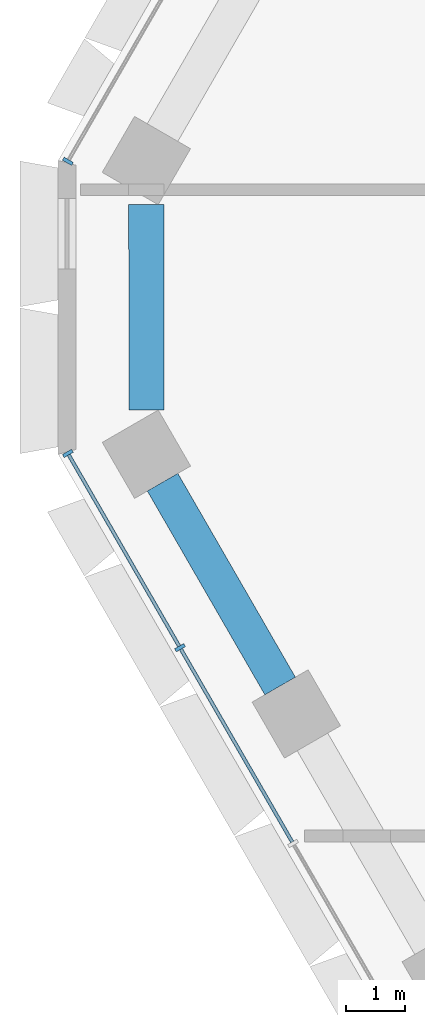
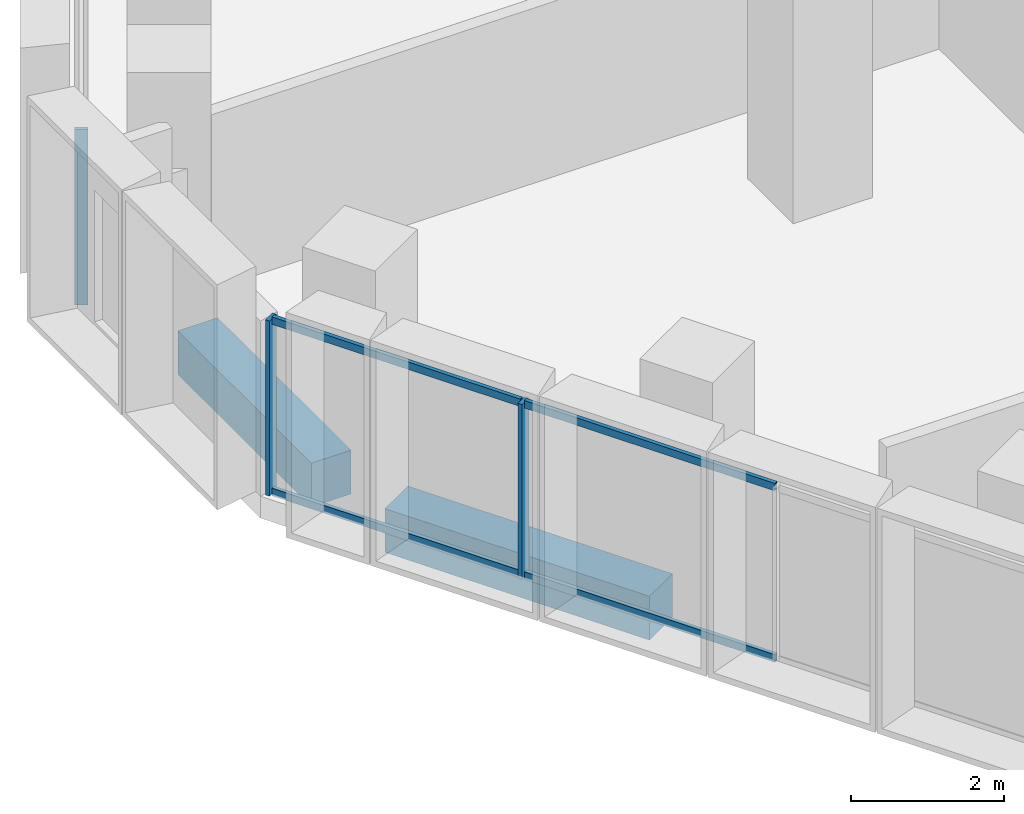
# One storey, part 3 of 21: 7 members, 2 beams, 2 elements without a shape of their own.
"""IFC4 building model written with IfcOpenShell, lengths in metres."""

from ifc_helpers import new_model, si_unit, direction, frame, origin, origin_2d, place, context, subcontext, project, spatial, rectangle, hollow_rectangle, extrude, material, material_profile, profile_set, type_object, element, aggregate, save


model = new_model("IFC4")

# Units and contexts
model_context = context("Model", 3, precision=1e-05, world=origin(), true_north=direction((0.0, 1.0)))
body_context = subcontext(model_context, "Body", "Model", "MODEL_VIEW")
ifc_project = project(units=[si_unit("LENGTHUNIT", "METRE"), si_unit("AREAUNIT", "SQUARE_METRE"), si_unit("VOLUMEUNIT", "CUBIC_METRE"), si_unit("PLANEANGLEUNIT", "RADIAN"), si_unit("MASSUNIT", "GRAM", prefix="KILO")], contexts=[model_context])

# Site, building, storey
site_placement = place(None, origin())
site = spatial("IfcSite", under=ifc_project, at=site_placement, CompositionType="ELEMENT")
building_placement = place(site_placement, origin())
building = spatial("IfcBuilding", under=site, at=building_placement, Name="Beryl Residences", CompositionType="ELEMENT")
storey_placement = place(building_placement, frame((0.0, 0.0, 19.800048828125)))
storey = spatial("IfcBuildingStorey", under=building, at=storey_placement, Name="L05", CompositionType="ELEMENT", Elevation=19.800048828125)

# Curtain wall, member
ifc_material_1 = material(Name="Aluminium and clear glass", Category="aluminium")
curtain_wall_type = type_object("IfcCurtainWallType", Name="CW2 amenity glazing glazed wall", PredefinedType="NOTDEFINED", material=ifc_material_1)
curtain_wall_1_placement = place(storey_placement, origin())
curtain_wall_1 = element("IfcCurtainWall", 1, at=curtain_wall_1_placement, inside=storey, type_object=curtain_wall_type, Name="CW2 L05 NW", PredefinedType="NOTDEFINED")
ifc_material_2 = material(Name="Aluminium", Category="aluminium")
ifc_material_profile_1 = material_profile(ifc_material_2, rectangle(XDim=0.06005859375, YDim=0.179931640625, at=origin_2d()))
ifc_profile_set_1 = profile_set([ifc_material_profile_1], Name="Aluminium")
member_type_1 = type_object("IfcMemberType", Name="CW2-M mullion 60 x 180 mm", PredefinedType="MULLION", material=ifc_profile_set_1)
member_1_placement = place(storey_placement, frame((-31.18505859375, 2.486083984375, 0.0), z_axis=(0.0, 0.0, 1.0), x_axis=(-0.500011643322, -0.866018681405, 0.0)))
member_1 = element("IfcMember", 2, at=member_1_placement, type_object=member_type_1, Name="CW2 mullion 8", PredefinedType="MULLION", context=body_context, shape_type="SweptSolid", body=[
    extrude(rectangle(XDim=0.06005859375, YDim=0.179931640625, at=origin_2d()), origin(), (0.0, 0.0, 1.0), 2.800048828125),
])
aggregate(curtain_wall_1, [member_1])

# Curtain wall, members
curtain_wall_2_placement = place(storey_placement, origin())
curtain_wall_2 = element("IfcCurtainWall", 3, at=curtain_wall_2_placement, inside=storey, type_object=curtain_wall_type, Name="CW2 L05 SW", PredefinedType="NOTDEFINED")
member_2_placement = place(storey_placement, frame((-31.18505859375, -2.486083984375, 0.0), z_axis=(0.0, 0.0, 1.0), x_axis=(0.500011643322, -0.866018681405, 0.0)))
member_2 = element("IfcMember", 4, at=member_2_placement, type_object=member_type_1, Name="CW2 mullion 1", PredefinedType="MULLION", context=body_context, shape_type="SweptSolid", body=[
    extrude(rectangle(XDim=0.06005859375, YDim=0.179931640625, at=origin_2d()), origin(), (0.0, 0.0, 1.0), 2.800048828125),
])
member_3_placement = place(storey_placement, frame((-29.275634765625, -5.79296875, 0.0), z_axis=(0.0, 0.0, 1.0), x_axis=(0.500011643322, -0.866018681405, 0.0)))
member_3 = element("IfcMember", 5, at=member_3_placement, type_object=member_type_1, Name="CW2 mullion 2", PredefinedType="MULLION", context=body_context, shape_type="SweptSolid", body=[
    extrude(rectangle(XDim=0.06005859375, YDim=0.179931640625, at=origin_2d()), origin(), (0.0, 0.0, 1.0), 2.800048828125),
])
ifc_material_3 = material(Name="Aluminium", Category="aluminium")
ifc_material_profile_2 = material_profile(ifc_material_3, hollow_rectangle(XDim=0.06005859375, YDim=0.1201171875, WallThickness=0.00390625, at=origin_2d()))
ifc_profile_set_2 = profile_set([ifc_material_profile_2], Name="Aluminium")
member_type_2 = type_object("IfcMemberType", Name="CW2-T transom 60 x 120 mm", PredefinedType="USERDEFINED", material=ifc_profile_set_2)
member_4_placement = place(storey_placement, frame((-31.169921875, -2.511962890625, 0.030029296875), z_axis=(0.499988609959, -0.866031979728, 0.0), x_axis=(0.866031979728, 0.499988609959, 0.0)))
member_4 = element("IfcMember", 6, at=member_4_placement, type_object=member_type_2, Name="CW2 transom 1.1", ObjectType="TRANSOM", PredefinedType="USERDEFINED", context=body_context, shape_type="SweptSolid", body=[
    extrude(hollow_rectangle(XDim=0.06005859375, YDim=0.1201171875, WallThickness=0.00390625, at=origin_2d()), origin(), (0.0, 0.0, 1.0), 3.75830078125),
])
member_5_placement = place(storey_placement, frame((-31.169921875, -2.511962890625, 2.77001953125), z_axis=(0.499988609959, -0.866031979728, 0.0), x_axis=(0.866031979728, 0.499988609959, 0.0)))
member_5 = element("IfcMember", 7, at=member_5_placement, type_object=member_type_2, Name="CW2 transom 1.2", ObjectType="TRANSOM", PredefinedType="USERDEFINED", context=body_context, shape_type="SweptSolid", body=[
    extrude(hollow_rectangle(XDim=0.06005859375, YDim=0.1201171875, WallThickness=0.00390625, at=origin_2d()), origin(), (0.0, 0.0, 1.0), 3.75830078125),
])
member_6_placement = place(storey_placement, frame((-29.2607421875, -5.81884765625, 0.030029296875), z_axis=(0.499999503755, -0.866025690291, 0.0), x_axis=(0.866025690291, 0.499999503755, 0.0)))
member_6 = element("IfcMember", 8, at=member_6_placement, type_object=member_type_2, Name="CW2 transom 2.1", ObjectType="TRANSOM", PredefinedType="USERDEFINED", context=body_context, shape_type="SweptSolid", body=[
    extrude(hollow_rectangle(XDim=0.06005859375, YDim=0.1201171875, WallThickness=0.00390625, at=origin_2d()), origin(), (0.0, 0.0, 1.0), 3.78857421875),
])
member_7_placement = place(storey_placement, frame((-29.2607421875, -5.81884765625, 2.77001953125), z_axis=(0.499999503755, -0.866025690291, 0.0), x_axis=(0.866025690291, 0.499999503755, 0.0)))
member_7 = element("IfcMember", 9, at=member_7_placement, type_object=member_type_2, Name="CW2 transom 2.2", ObjectType="TRANSOM", PredefinedType="USERDEFINED", context=body_context, shape_type="SweptSolid", body=[
    extrude(hollow_rectangle(XDim=0.06005859375, YDim=0.1201171875, WallThickness=0.00390625, at=origin_2d()), origin(), (0.0, 0.0, 1.0), 3.78857421875),
])
aggregate(curtain_wall_2, [member_2, member_3, member_4, member_5, member_6, member_7])

# Beams
ifc_material_4 = material(Name="Concrete C80/95", Category="concrete")
ifc_material_profile_3 = material_profile(ifc_material_4, rectangle(XDim=0.60009765625, YDim=0.699951171875, at=origin_2d()))
ifc_profile_set_3 = profile_set([ifc_material_profile_3], Name="Concrete C80/95")
beam_type = type_object("IfcBeamType", Name="SB1 spandrel beam 600 x 700 C80/95", PredefinedType="SPANDREL", material=ifc_profile_set_3)
beam_1_placement = place(storey_placement, frame((-29.84912109375, 1.748046875, -0.699951171875), z_axis=(0.000349064486, -0.999999939077, 0.0), x_axis=(0.999999939077, 0.000349064486, 0.0)))
element("IfcBeam", 10, at=beam_1_placement, inside=storey, type_object=beam_type, Name="SB1 L05 NW-5", PredefinedType="SPANDREL", context=body_context, shape_type="SweptSolid", body=[
    extrude(rectangle(XDim=0.60009765625, YDim=0.699951171875, at=origin_2d()), origin(), (0.0, 0.0, 1.0), 3.4970703125),
])
beam_2_placement = place(storey_placement, frame((-29.572998046875, -2.97607421875, -0.699951171875), z_axis=(0.499653843024, -0.866225165388, 0.0), x_axis=(0.866225165388, 0.499653843024, 0.0)))
element("IfcBeam", 11, at=beam_2_placement, inside=storey, type_object=beam_type, Name="SB1 L05 SW-0", PredefinedType="SPANDREL", context=body_context, shape_type="SweptSolid", body=[
    extrude(rectangle(XDim=0.60009765625, YDim=0.699951171875, at=origin_2d()), origin(), (0.0, 0.0, 1.0), 4.004638671875),
])

save(model, "model.ifc")
